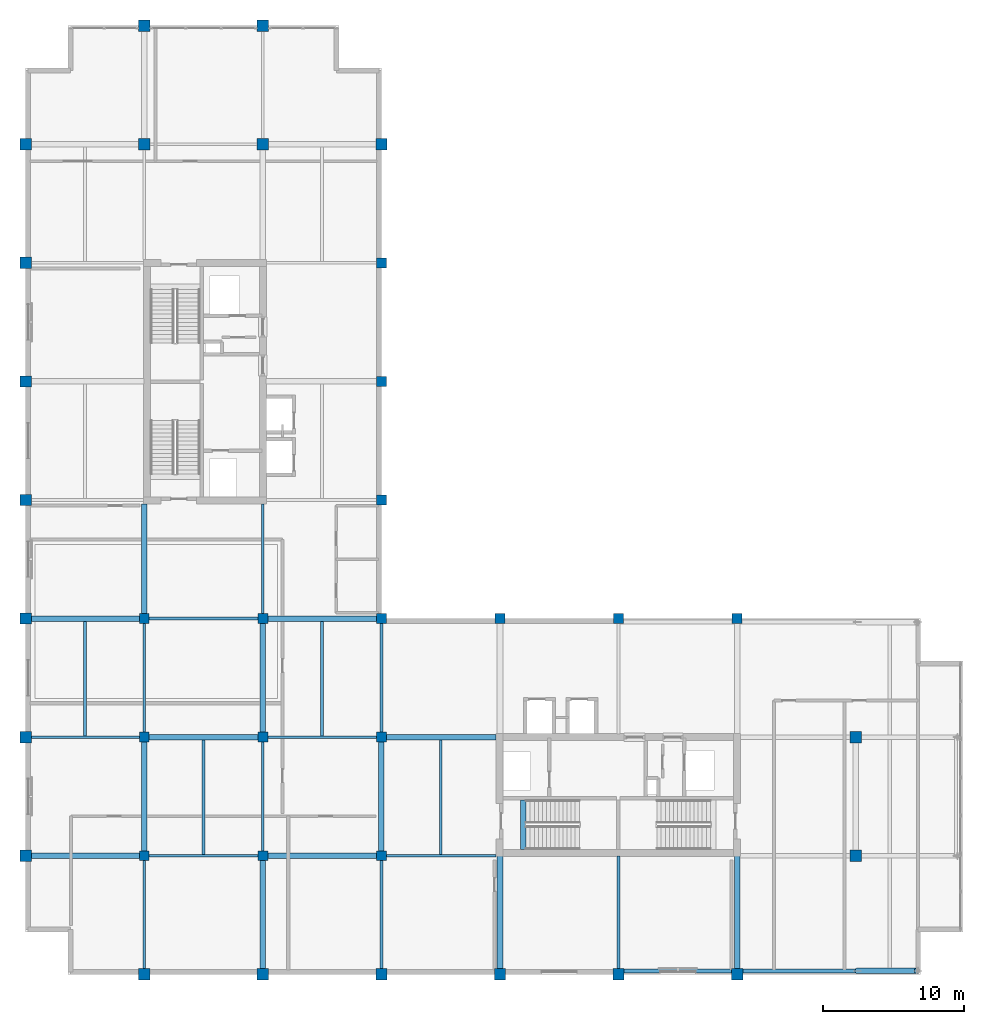
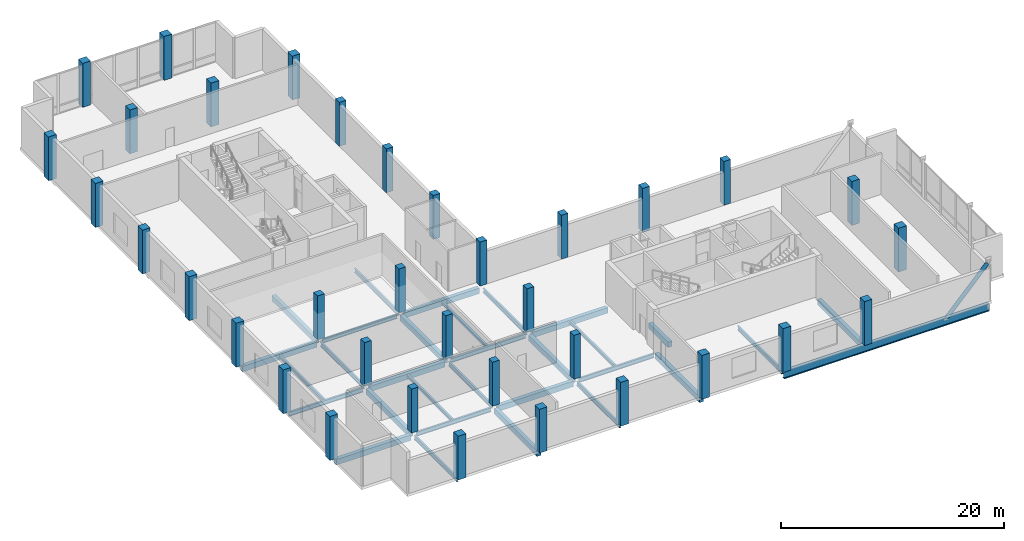
# One storey, part 1 of 18: 35 columns, 31 beams, 1 member.
"""IFC4 building model written with IfcOpenShell, lengths in metres."""

from ifc_helpers import new_model, si_unit, direction, frame, origin, origin_2d, place, context, subcontext, project, spatial, rectangle, hollow_circle, i_section, extrude, material, material_profile, profile_set, type_object, element, save


model = new_model("IFC4")

# Units and contexts
model_context = context("Model", 3, precision=1e-05, world=origin(), true_north=direction((0.0, 1.0)))
body_context = subcontext(model_context, "Body", "Model", "MODEL_VIEW")
ifc_project = project(units=[si_unit("LENGTHUNIT", "METRE"), si_unit("AREAUNIT", "SQUARE_METRE"), si_unit("VOLUMEUNIT", "CUBIC_METRE"), si_unit("PLANEANGLEUNIT", "RADIAN"), si_unit("MASSUNIT", "GRAM", prefix="KILO")], contexts=[model_context])

# Site, building, storey
site_placement = place(None, origin())
site = spatial("IfcSite", under=ifc_project, at=site_placement, CompositionType="ELEMENT")
building_placement = place(site_placement, origin())
building = spatial("IfcBuilding", under=site, at=building_placement, Name="Koriwani Terraces Tower", CompositionType="ELEMENT")
storey_placement = place(building_placement, frame((0.0, 0.0, 363.800048828125)))
storey = spatial("IfcBuildingStorey", under=building, at=storey_placement, Name="L90", CompositionType="ELEMENT", Elevation=363.800048828125)

# Columns
ifc_material_1 = material(Name="Concrete C50/60", Category="concrete")
ifc_material_profile_1 = material_profile(ifc_material_1, rectangle(XDim=0.699951171875, YDim=0.699951171875, at=origin_2d()), Name="Concrete C50/60", Category="LoadBearing")
ifc_profile_set_1 = profile_set([ifc_material_profile_1], Name="Concrete C50/60")
column_type_1 = type_object("IfcColumnType", Name="COL_RC_700X700", PredefinedType="COLUMN", material=ifc_profile_set_1)
for number, where, z_axis, x_axis, name in (
    (1, (16.800048828125, 16.800048828125, 0.0), (0.0, 0.0, 1.0), (1.0, 0.0, 0.0), "L90 Column 3/C"),
    (2, (16.800048828125, 25.199951171875, 0.0), (0.0, 0.0, 1.0), (1.0, 0.0, 0.0), "L90 Column 3/D"),
    (3, (16.800048828125, 33.60009765625, 0.0), (0.0, 0.0, 1.0), (1.0, 0.0, 0.0), "L90 Column 3/E"),
    (4, (25.199951171875, 16.800048828125, 0.0), (0.0, 0.0, 1.0), (1.0, 0.0, 0.0), "L90 Column 4/C"),
    (5, (25.199951171875, 25.199951171875, 0.0), (0.0, 0.0, 1.0), (1.0, 0.0, 0.0), "L90 Column 4/D"),
    (6, (25.199951171875, 33.60009765625, 0.0), (0.0, 0.0, 1.0), (1.0, 0.0, 0.0), "L90 Column 4/E"),
    (7, (33.60009765625, 16.800048828125, 0.0), (0.0, 0.0, 1.0), (1.0, 0.0, 0.0), "L90 Column 5/C"),
    (8, (33.60009765625, 25.199951171875, 0.0), (0.0, 0.0, 1.0), (1.0, 0.0, 0.0), "L90 Column 5/D"),
    (9, (33.60009765625, 33.60009765625, 0.0), (0.0, 0.0, 1.0), (1.0, 0.0, 0.0), "L90 Column 5/E"),
    (10, (33.60009765625, 42.0, 0.0), (0.0, 0.0, 1.0), (1.0, 0.0, 0.0), "L90 Column 5/F"),
    (11, (33.60009765625, 50.39990234375, 0.0), (0.0, 0.0, 1.0), (1.0, 0.0, 0.0), "L90 Column 5/G"),
    (12, (33.60009765625, 58.800048828125, 0.0), (0.0, 0.0, 1.0), (1.0, 0.0, 0.0), "L90 Column 5/H"),
    (13, (42.0, 33.60009765625, 0.0), (0.0, 0.0, 1.0), (1.0, 0.0, 0.0), "L90 Column 6/E"),
    (14, (50.39990234375, 33.60009765625, 0.0), (0.0, 0.0, 1.0), (1.0, 0.0, 0.0), "L90 Column 7/E"),
    (15, (58.800048828125, 33.60009765625, 0.0), (0.0, 0.0, 1.0), (1.0, 0.0, 0.0), "L90 Column 8/E"),
):
    element("IfcColumn", number, at=place(storey_placement, frame(where, z_axis=z_axis, x_axis=x_axis)), inside=storey, type_object=column_type_1, Name=name, PredefinedType="COLUMN", context=body_context, shape_type="SweptSolid", body=[
        extrude(rectangle(XDim=0.699951171875, YDim=0.699951171875, at=origin_2d()), origin(), (0.0, 0.0, 1.0), 4.800048828125),
    ])
ifc_material_profile_2 = material_profile(ifc_material_1, rectangle(XDim=0.800048828125, YDim=0.800048828125, at=origin_2d()), Name="Concrete C50/60", Category="LoadBearing")
ifc_profile_set_2 = profile_set([ifc_material_profile_2], Name="Concrete C50/60")
column_type_2 = type_object("IfcColumnType", Name="COL_RC_800X800", PredefinedType="COLUMN", material=ifc_profile_set_2)
for number, where, z_axis, x_axis, name in (
    (16, (8.39990234375, 16.800048828125, 0.0), (0.0, 0.0, 1.0), (1.0, 0.0, 0.0), "L90 Column 2/C"),
    (17, (8.39990234375, 25.199951171875, 0.0), (0.0, 0.0, 1.0), (1.0, 0.0, 0.0), "L90 Column 2/D"),
    (18, (8.39990234375, 33.60009765625, 0.0), (0.0, 0.0, 1.0), (1.0, 0.0, 0.0), "L90 Column 2/E"),
    (19, (8.39990234375, 42.0, 0.0), (0.0, 0.0, 1.0), (1.0, 0.0, 0.0), "L90 Column 2/F"),
    (20, (8.39990234375, 50.39990234375, 0.0), (0.0, 0.0, 1.0), (1.0, 0.0, 0.0), "L90 Column 2/G"),
    (21, (8.39990234375, 58.800048828125, 0.0), (0.0, 0.0, 1.0), (1.0, 0.0, 0.0), "L90 Column 2/H"),
    (22, (8.39990234375, 67.199951171875, 0.0), (0.0, 0.0, 1.0), (1.0, 0.0, 0.0), "L90 Column 2/I"),
    (23, (16.800048828125, 8.39990234375, 0.0), (0.0, 0.0, 1.0), (1.0, 0.0, 0.0), "L90 Column 3/B"),
    (24, (16.800048828125, 67.199951171875, 0.0), (0.0, 0.0, 1.0), (1.0, 0.0, 0.0), "L90 Column 3/I"),
    (25, (16.800048828125, 75.60009765625, 0.0), (0.0, 0.0, 1.0), (1.0, 0.0, 0.0), "L90 Column 3/J"),
    (26, (25.199951171875, 8.39990234375, 0.0), (0.0, 0.0, 1.0), (1.0, 0.0, 0.0), "L90 Column 4/B"),
    (27, (25.199951171875, 67.199951171875, 0.0), (0.0, 0.0, 1.0), (1.0, 0.0, 0.0), "L90 Column 4/I"),
    (28, (25.199951171875, 75.60009765625, 0.0), (0.0, 0.0, 1.0), (1.0, 0.0, 0.0), "L90 Column 4/J"),
    (29, (33.60009765625, 8.39990234375, 0.0), (0.0, 0.0, 1.0), (1.0, 0.0, 0.0), "L90 Column 5/B"),
    (30, (33.60009765625, 67.199951171875, 0.0), (0.0, 0.0, 1.0), (1.0, 0.0, 0.0), "L90 Column 5/I"),
    (31, (42.0, 8.39990234375, 0.0), (0.0, 0.0, 1.0), (1.0, 0.0, 0.0), "L90 Column 6/B"),
    (32, (50.39990234375, 8.39990234375, 0.0), (0.0, 0.0, 1.0), (1.0, 0.0, 0.0), "L90 Column 7/B"),
    (33, (58.800048828125, 8.39990234375, 0.0), (0.0, 0.0, 1.0), (1.0, 0.0, 0.0), "L90 Column 8/B"),
    (34, (67.199951171875, 16.800048828125, 0.0), (0.0, 0.0, 1.0), (1.0, 0.0, 0.0), "L90 Column 9/C"),
    (35, (67.199951171875, 25.199951171875, 0.0), (0.0, 0.0, 1.0), (1.0, 0.0, 0.0), "L90 Column 9/D"),
):
    element("IfcColumn", number, at=place(storey_placement, frame(where, z_axis=z_axis, x_axis=x_axis)), inside=storey, type_object=column_type_2, Name=name, PredefinedType="COLUMN", context=body_context, shape_type="SweptSolid", body=[
        extrude(rectangle(XDim=0.800048828125, YDim=0.800048828125, at=origin_2d()), origin(), (0.0, 0.0, 1.0), 4.800048828125),
    ])

# Beams
ifc_material_2 = material(Name="Concrete C40/50", Category="concrete")
ifc_material_profile_3 = material_profile(ifc_material_2, rectangle(XDim=0.39990234375, YDim=0.60009765625, at=origin_2d()), Name="Concrete C40/50", Category="LoadBearing")
ifc_profile_set_3 = profile_set([ifc_material_profile_3], Name="Concrete C40/50")
beam_type_1 = type_object("IfcBeamType", Name="BEAM_RC_GRID_400X600", PredefinedType="BEAM", material=ifc_profile_set_3)
beam_1_placement = place(storey_placement, frame((43.655029296875, 17.25, -0.300048828125), z_axis=(0.0, 1.0, 0.0), x_axis=(-1.0, 0.0, 0.0)))
element("IfcBeam", 36, at=beam_1_placement, inside=storey, type_object=beam_type_1, Name="L90 Stairwell Header Trimmer Beam ST-E1", PredefinedType="BEAM", context=body_context, shape_type="SweptSolid", body=[
    extrude(rectangle(XDim=0.39990234375, YDim=0.60009765625, at=origin_2d()), origin(), (0.0, 0.0, 1.0), 3.5),
])
beam_2_placement = place(storey_placement, frame((8.780029296875, 16.800048828125, -0.60009765625), z_axis=(1.0, 0.0, 0.0), x_axis=(0.0, 1.0, 0.0)))
element("IfcBeam", 37, at=beam_2_placement, inside=storey, type_object=beam_type_1, Name="L90 Grid Beam C (8.4-16.8m)", PredefinedType="BEAM", context=body_context, shape_type="SweptSolid", body=[
    extrude(rectangle(XDim=0.39990234375, YDim=0.60009765625, at=origin_2d()), origin(), (0.0, 0.0, 1.0), 7.68994140625),
])
beam_3_placement = place(storey_placement, frame((25.530029296875, 16.800048828125, -0.60009765625), z_axis=(1.0, 0.0, 0.0), x_axis=(0.0, 1.0, 0.0)))
element("IfcBeam", 38, at=beam_3_placement, inside=storey, type_object=beam_type_1, Name="L90 Grid Beam C (25.2-33.6m)", PredefinedType="BEAM", context=body_context, shape_type="SweptSolid", body=[
    extrude(rectangle(XDim=0.39990234375, YDim=0.60009765625, at=origin_2d()), origin(), (0.0, 0.0, 1.0), 7.739990234375),
])
beam_4_placement = place(storey_placement, frame((17.1298828125, 25.199951171875, -0.60009765625), z_axis=(1.0, 0.0, 0.0), x_axis=(0.0, 1.0, 0.0)))
element("IfcBeam", 39, at=beam_4_placement, inside=storey, type_object=beam_type_1, Name="L90 Grid Beam D (16.8-25.2m)", PredefinedType="BEAM", context=body_context, shape_type="SweptSolid", body=[
    extrude(rectangle(XDim=0.39990234375, YDim=0.60009765625, at=origin_2d()), origin(), (0.0, 0.0, 1.0), 7.740234375),
])
beam_5_placement = place(storey_placement, frame((33.929931640625, 25.199951171875, -0.60009765625), z_axis=(1.0, 0.0, 0.0), x_axis=(0.0, 1.0, 0.0)))
element("IfcBeam", 40, at=beam_5_placement, inside=storey, type_object=beam_type_1, Name="L90 Grid Beam D (33.6-42.0m)", PredefinedType="BEAM", context=body_context, shape_type="SweptSolid", body=[
    extrude(rectangle(XDim=0.39990234375, YDim=0.60009765625, at=origin_2d()), origin(), (0.0, 0.0, 1.0), 7.7900390625),
])
beam_6_placement = place(storey_placement, frame((8.780029296875, 33.60009765625, -0.60009765625), z_axis=(1.0, 0.0, 0.0), x_axis=(0.0, 1.0, 0.0)))
element("IfcBeam", 41, at=beam_6_placement, inside=storey, type_object=beam_type_1, Name="L90 Grid Beam E (8.4-16.8m)", PredefinedType="BEAM", context=body_context, shape_type="SweptSolid", body=[
    extrude(rectangle(XDim=0.39990234375, YDim=0.60009765625, at=origin_2d()), origin(), (0.0, 0.0, 1.0), 7.68994140625),
])
beam_7_placement = place(storey_placement, frame((25.530029296875, 33.60009765625, -0.60009765625), z_axis=(1.0, 0.0, 0.0), x_axis=(0.0, 1.0, 0.0)))
element("IfcBeam", 42, at=beam_7_placement, inside=storey, type_object=beam_type_1, Name="L90 Grid Beam E (25.2-33.6m)", PredefinedType="BEAM", context=body_context, shape_type="SweptSolid", body=[
    extrude(rectangle(XDim=0.39990234375, YDim=0.60009765625, at=origin_2d()), origin(), (0.0, 0.0, 1.0), 7.739990234375),
])
beam_8_placement = place(storey_placement, frame((16.800048828125, 17.1298828125, -0.60009765625), z_axis=(0.0, 1.0, 0.0), x_axis=(-1.0, 0.0, 0.0)))
element("IfcBeam", 43, at=beam_8_placement, inside=storey, type_object=beam_type_1, Name="L90 Grid Beam 3 (16.8-25.2m)", PredefinedType="BEAM", context=body_context, shape_type="SweptSolid", body=[
    extrude(rectangle(XDim=0.39990234375, YDim=0.60009765625, at=origin_2d()), origin(), (0.0, 0.0, 1.0), 7.740234375),
])
beam_9_placement = place(storey_placement, frame((16.800048828125, 33.929931640625, -0.60009765625), z_axis=(0.0, 1.0, 0.0), x_axis=(-1.0, 0.0, 0.0)))
element("IfcBeam", 44, at=beam_9_placement, inside=storey, type_object=beam_type_1, Name="L90 Grid Beam 3 (33.6-42.0m)", PredefinedType="BEAM", context=body_context, shape_type="SweptSolid", body=[
    extrude(rectangle(XDim=0.39990234375, YDim=0.60009765625, at=origin_2d()), origin(), (0.0, 0.0, 1.0), 7.7900390625),
])
beam_10_placement = place(storey_placement, frame((25.199951171875, 8.780029296875, -0.60009765625), z_axis=(0.0, 1.0, 0.0), x_axis=(-1.0, 0.0, 0.0)))
element("IfcBeam", 45, at=beam_10_placement, inside=storey, type_object=beam_type_1, Name="L90 Grid Beam 4 (8.4-16.8m)", PredefinedType="BEAM", context=body_context, shape_type="SweptSolid", body=[
    extrude(rectangle(XDim=0.39990234375, YDim=0.60009765625, at=origin_2d()), origin(), (0.0, 0.0, 1.0), 7.68994140625),
])
beam_11_placement = place(storey_placement, frame((25.199951171875, 25.530029296875, -0.60009765625), z_axis=(0.0, 1.0, 0.0), x_axis=(-1.0, 0.0, 0.0)))
element("IfcBeam", 46, at=beam_11_placement, inside=storey, type_object=beam_type_1, Name="L90 Grid Beam 4 (25.2-33.6m)", PredefinedType="BEAM", context=body_context, shape_type="SweptSolid", body=[
    extrude(rectangle(XDim=0.39990234375, YDim=0.60009765625, at=origin_2d()), origin(), (0.0, 0.0, 1.0), 7.739990234375),
])
beam_12_placement = place(storey_placement, frame((33.60009765625, 17.1298828125, -0.60009765625), z_axis=(0.0, 1.0, 0.0), x_axis=(-1.0, 0.0, 0.0)))
element("IfcBeam", 47, at=beam_12_placement, inside=storey, type_object=beam_type_1, Name="L90 Grid Beam 5 (16.8-25.2m)", PredefinedType="BEAM", context=body_context, shape_type="SweptSolid", body=[
    extrude(rectangle(XDim=0.39990234375, YDim=0.60009765625, at=origin_2d()), origin(), (0.0, 0.0, 1.0), 7.740234375),
])
for number, where, z_axis, x_axis, name in (
    (48, (42.0, 8.780029296875, -0.60009765625), (0.0, 1.0, 0.0), (-1.0, 0.0, 0.0), "L90 Grid Beam 6 (8.4-16.8m)"),
    (49, (58.800048828125, 8.780029296875, -0.60009765625), (0.0, 1.0, 0.0), (-1.0, 0.0, 0.0), "L90 Grid Beam 8 (8.4-16.8m)"),
):
    element("IfcBeam", number, at=place(storey_placement, frame(where, z_axis=z_axis, x_axis=x_axis)), inside=storey, type_object=beam_type_1, Name=name, PredefinedType="BEAM", context=body_context, shape_type="SweptSolid", body=[
        extrude(rectangle(XDim=0.39990234375, YDim=0.60009765625, at=origin_2d()), origin(), (0.0, 0.0, 1.0), 7.989990234375),
    ])

# Member
ifc_material_3 = material(Name="Steel ASTM A572 Grade 50", Category="steel")
ifc_material_profile_4 = material_profile(ifc_material_3, hollow_circle(Radius=0.202880859375, WallThickness=0.01611328125, at=origin_2d()), Name="Steel ASTM A572 Grade 50", Category="LoadBearing")
ifc_profile_set_4 = profile_set([ifc_material_profile_4], Name="Steel ASTM A572 Grade 50")
member_type = type_object("IfcMemberType", Name="BELT_TRUSS_DIAG_CHS406X16", PredefinedType="BRACE", material=ifc_profile_set_4)
member_placement = place(storey_placement, frame((67.300048828125, 8.64990234375, -0.400146484375), z_axis=(0.686363404248, 0.0, 0.727258741652), x_axis=(0.0, 1.0, 0.0)))
element("IfcMember", 50, at=member_placement, inside=storey, type_object=member_type, Name="L90 Sky-Lounge Facade Cantilever Strut S1", PredefinedType="BRACE", context=body_context, shape_type="SweptSolid", body=[
    extrude(hollow_circle(Radius=0.202880859375, WallThickness=0.01611328125, at=origin_2d()), origin(), (0.0, 0.0, 1.0), 6.119140625),
])

# Beams
ifc_material_profile_5 = material_profile(ifc_material_3, i_section(OverallWidth=0.205078125, OverallDepth=0.35400390625, WebThickness=0.009521484375, FlangeThickness=0.016845703125, at=origin_2d()), Name="Steel ASTM A572 Grade 50", Category="LoadBearing")
ifc_profile_set_5 = profile_set([ifc_material_profile_5], Name="Steel ASTM A572 Grade 50")
beam_type_2 = type_object("IfcBeamType", Name="STEEL_BEAM_W360X79", PredefinedType="JOIST", material=ifc_profile_set_5)
beam_13_placement = place(storey_placement, frame((12.60009765625, 25.28662109375, -0.47705078125), z_axis=(0.0, 1.0, 0.0), x_axis=(-1.0, 0.0, 0.0)))
element("IfcBeam", 51, at=beam_13_placement, inside=storey, type_object=beam_type_2, Name="L90 Secondary Steel Floor Joist X=12.6m", PredefinedType="JOIST", context=body_context, shape_type="SweptSolid", body=[
    extrude(i_section(OverallWidth=0.205078125, OverallDepth=0.35400390625, WebThickness=0.009521484375, FlangeThickness=0.016845703125, at=origin_2d()), origin(), (0.0, 0.0, 1.0), 8.123291015625),
])
beam_14_placement = place(storey_placement, frame((21.0, 16.886474609375, -0.47705078125), z_axis=(0.0, 1.0, 0.0), x_axis=(-1.0, 0.0, 0.0)))
element("IfcBeam", 52, at=beam_14_placement, inside=storey, type_object=beam_type_2, Name="L90 Secondary Steel Floor Joist X=21.0m", PredefinedType="JOIST", context=body_context, shape_type="SweptSolid", body=[
    extrude(i_section(OverallWidth=0.205078125, OverallDepth=0.35400390625, WebThickness=0.009521484375, FlangeThickness=0.016845703125, at=origin_2d()), origin(), (0.0, 0.0, 1.0), 8.12353515625),
])
beam_15_placement = place(storey_placement, frame((29.39990234375, 25.28662109375, -0.47705078125), z_axis=(0.0, 1.0, 0.0), x_axis=(-1.0, 0.0, 0.0)))
element("IfcBeam", 53, at=beam_15_placement, inside=storey, type_object=beam_type_2, Name="L90 Secondary Steel Floor Joist X=29.4m", PredefinedType="JOIST", context=body_context, shape_type="SweptSolid", body=[
    extrude(i_section(OverallWidth=0.205078125, OverallDepth=0.35400390625, WebThickness=0.009521484375, FlangeThickness=0.016845703125, at=origin_2d()), origin(), (0.0, 0.0, 1.0), 8.123291015625),
])
beam_16_placement = place(storey_placement, frame((37.800048828125, 16.886474609375, -0.47705078125), z_axis=(0.0, 1.0, 0.0), x_axis=(-1.0, 0.0, 0.0)))
element("IfcBeam", 54, at=beam_16_placement, inside=storey, type_object=beam_type_2, Name="L90 Secondary Steel Floor Joist X=37.8m", PredefinedType="JOIST", context=body_context, shape_type="SweptSolid", body=[
    extrude(i_section(OverallWidth=0.205078125, OverallDepth=0.35400390625, WebThickness=0.009521484375, FlangeThickness=0.016845703125, at=origin_2d()), origin(), (0.0, 0.0, 1.0), 8.12353515625),
])
ifc_material_profile_6 = material_profile(ifc_material_3, i_section(OverallWidth=0.193115234375, OverallDepth=0.462890625, WebThickness=0.0107421875, FlangeThickness=0.017333984375, at=origin_2d()), Name="Steel ASTM A572 Grade 50", Category="LoadBearing")
ifc_profile_set_6 = profile_set([ifc_material_profile_6], Name="Steel ASTM A572 Grade 50")
beam_type_3 = type_object("IfcBeamType", Name="STEEL_BEAM_W460X113", PredefinedType="BEAM", material=ifc_profile_set_6)
beam_17_placement = place(storey_placement, frame((17.1298828125, 16.800048828125, -0.531494140625), z_axis=(1.0, 0.0, 0.0), x_axis=(0.0, 1.0, 0.0)))
element("IfcBeam", 55, at=beam_17_placement, inside=storey, type_object=beam_type_3, Name="L90 Grid Beam C (16.8-25.2m)", PredefinedType="BEAM", context=body_context, shape_type="SweptSolid", body=[
    extrude(i_section(OverallWidth=0.193115234375, OverallDepth=0.462890625, WebThickness=0.0107421875, FlangeThickness=0.017333984375, at=origin_2d()), origin(), (0.0, 0.0, 1.0), 7.740234375),
])
beam_18_placement = place(storey_placement, frame((33.929931640625, 16.800048828125, -0.531494140625), z_axis=(1.0, 0.0, 0.0), x_axis=(0.0, 1.0, 0.0)))
element("IfcBeam", 56, at=beam_18_placement, inside=storey, type_object=beam_type_3, Name="L90 Grid Beam C (33.6-42.0m)", PredefinedType="BEAM", context=body_context, shape_type="SweptSolid", body=[
    extrude(i_section(OverallWidth=0.193115234375, OverallDepth=0.462890625, WebThickness=0.0107421875, FlangeThickness=0.017333984375, at=origin_2d()), origin(), (0.0, 0.0, 1.0), 7.7900390625),
])
beam_19_placement = place(storey_placement, frame((8.780029296875, 25.199951171875, -0.531494140625), z_axis=(1.0, 0.0, 0.0), x_axis=(0.0, 1.0, 0.0)))
element("IfcBeam", 57, at=beam_19_placement, inside=storey, type_object=beam_type_3, Name="L90 Grid Beam D (8.4-16.8m)", PredefinedType="BEAM", context=body_context, shape_type="SweptSolid", body=[
    extrude(i_section(OverallWidth=0.193115234375, OverallDepth=0.462890625, WebThickness=0.0107421875, FlangeThickness=0.017333984375, at=origin_2d()), origin(), (0.0, 0.0, 1.0), 7.68994140625),
])
beam_20_placement = place(storey_placement, frame((25.530029296875, 25.199951171875, -0.531494140625), z_axis=(1.0, 0.0, 0.0), x_axis=(0.0, 1.0, 0.0)))
element("IfcBeam", 58, at=beam_20_placement, inside=storey, type_object=beam_type_3, Name="L90 Grid Beam D (25.2-33.6m)", PredefinedType="BEAM", context=body_context, shape_type="SweptSolid", body=[
    extrude(i_section(OverallWidth=0.193115234375, OverallDepth=0.462890625, WebThickness=0.0107421875, FlangeThickness=0.017333984375, at=origin_2d()), origin(), (0.0, 0.0, 1.0), 7.739990234375),
])
beam_21_placement = place(storey_placement, frame((17.1298828125, 33.60009765625, -0.531494140625), z_axis=(1.0, 0.0, 0.0), x_axis=(0.0, 1.0, 0.0)))
element("IfcBeam", 59, at=beam_21_placement, inside=storey, type_object=beam_type_3, Name="L90 Grid Beam E (16.8-25.2m)", PredefinedType="BEAM", context=body_context, shape_type="SweptSolid", body=[
    extrude(i_section(OverallWidth=0.193115234375, OverallDepth=0.462890625, WebThickness=0.0107421875, FlangeThickness=0.017333984375, at=origin_2d()), origin(), (0.0, 0.0, 1.0), 7.740234375),
])
beam_22_placement = place(storey_placement, frame((16.800048828125, 8.780029296875, -0.531494140625), z_axis=(0.0, 1.0, 0.0), x_axis=(-1.0, 0.0, 0.0)))
element("IfcBeam", 60, at=beam_22_placement, inside=storey, type_object=beam_type_3, Name="L90 Grid Beam 3 (8.4-16.8m)", PredefinedType="BEAM", context=body_context, shape_type="SweptSolid", body=[
    extrude(i_section(OverallWidth=0.193115234375, OverallDepth=0.462890625, WebThickness=0.0107421875, FlangeThickness=0.017333984375, at=origin_2d()), origin(), (0.0, 0.0, 1.0), 7.68994140625),
])
beam_23_placement = place(storey_placement, frame((16.800048828125, 25.530029296875, -0.531494140625), z_axis=(0.0, 1.0, 0.0), x_axis=(-1.0, 0.0, 0.0)))
element("IfcBeam", 61, at=beam_23_placement, inside=storey, type_object=beam_type_3, Name="L90 Grid Beam 3 (25.2-33.6m)", PredefinedType="BEAM", context=body_context, shape_type="SweptSolid", body=[
    extrude(i_section(OverallWidth=0.193115234375, OverallDepth=0.462890625, WebThickness=0.0107421875, FlangeThickness=0.017333984375, at=origin_2d()), origin(), (0.0, 0.0, 1.0), 7.739990234375),
])
beam_24_placement = place(storey_placement, frame((25.199951171875, 17.1298828125, -0.531494140625), z_axis=(0.0, 1.0, 0.0), x_axis=(-1.0, 0.0, 0.0)))
element("IfcBeam", 62, at=beam_24_placement, inside=storey, type_object=beam_type_3, Name="L90 Grid Beam 4 (16.8-25.2m)", PredefinedType="BEAM", context=body_context, shape_type="SweptSolid", body=[
    extrude(i_section(OverallWidth=0.193115234375, OverallDepth=0.462890625, WebThickness=0.0107421875, FlangeThickness=0.017333984375, at=origin_2d()), origin(), (0.0, 0.0, 1.0), 7.740234375),
])
beam_25_placement = place(storey_placement, frame((25.199951171875, 33.929931640625, -0.531494140625), z_axis=(0.0, 1.0, 0.0), x_axis=(-1.0, 0.0, 0.0)))
element("IfcBeam", 63, at=beam_25_placement, inside=storey, type_object=beam_type_3, Name="L90 Grid Beam 4 (33.6-42.0m)", PredefinedType="BEAM", context=body_context, shape_type="SweptSolid", body=[
    extrude(i_section(OverallWidth=0.193115234375, OverallDepth=0.462890625, WebThickness=0.0107421875, FlangeThickness=0.017333984375, at=origin_2d()), origin(), (0.0, 0.0, 1.0), 7.7900390625),
])
beam_26_placement = place(storey_placement, frame((33.60009765625, 8.780029296875, -0.531494140625), z_axis=(0.0, 1.0, 0.0), x_axis=(-1.0, 0.0, 0.0)))
element("IfcBeam", 64, at=beam_26_placement, inside=storey, type_object=beam_type_3, Name="L90 Grid Beam 5 (8.4-16.8m)", PredefinedType="BEAM", context=body_context, shape_type="SweptSolid", body=[
    extrude(i_section(OverallWidth=0.193115234375, OverallDepth=0.462890625, WebThickness=0.0107421875, FlangeThickness=0.017333984375, at=origin_2d()), origin(), (0.0, 0.0, 1.0), 7.68994140625),
])
beam_27_placement = place(storey_placement, frame((33.60009765625, 25.530029296875, -0.531494140625), z_axis=(0.0, 1.0, 0.0), x_axis=(-1.0, 0.0, 0.0)))
element("IfcBeam", 65, at=beam_27_placement, inside=storey, type_object=beam_type_3, Name="L90 Grid Beam 5 (25.2-33.6m)", PredefinedType="BEAM", context=body_context, shape_type="SweptSolid", body=[
    extrude(i_section(OverallWidth=0.193115234375, OverallDepth=0.462890625, WebThickness=0.0107421875, FlangeThickness=0.017333984375, at=origin_2d()), origin(), (0.0, 0.0, 1.0), 7.739990234375),
])
beam_28_placement = place(storey_placement, frame((50.39990234375, 8.780029296875, -0.531494140625), z_axis=(0.0, 1.0, 0.0), x_axis=(-1.0, 0.0, 0.0)))
element("IfcBeam", 66, at=beam_28_placement, inside=storey, type_object=beam_type_3, Name="L90 Grid Beam 7 (8.4-16.8m)", PredefinedType="BEAM", context=body_context, shape_type="SweptSolid", body=[
    extrude(i_section(OverallWidth=0.193115234375, OverallDepth=0.462890625, WebThickness=0.0107421875, FlangeThickness=0.017333984375, at=origin_2d()), origin(), (0.0, 0.0, 1.0), 7.989990234375),
])
ifc_material_profile_7 = material_profile(ifc_material_3, i_section(OverallWidth=0.2919921875, OverallDepth=0.85498046875, WebThickness=0.018310546875, FlangeThickness=0.029296875, at=origin_2d()), Name="Steel ASTM A572 Grade 50", Category="LoadBearing")
ifc_profile_set_7 = profile_set([ifc_material_profile_7], Name="Steel ASTM A572 Grade 50")
beam_type_4 = type_object("IfcBeamType", Name="STEEL_BEAM_W840X299", PredefinedType="USERDEFINED", material=ifc_profile_set_7)
beam_29_placement = place(storey_placement, frame((50.39990234375, 8.64990234375, -0.7275390625), z_axis=(1.0, 0.0, 0.0), x_axis=(0.0, 1.0, 0.0)))
element("IfcBeam", 67, at=beam_29_placement, inside=storey, type_object=beam_type_4, Name="L90 Sky-Lounge Edge Cantilever Girder (S)", ObjectType="GIRDER", PredefinedType="USERDEFINED", context=body_context, shape_type="SweptSolid", body=[
    extrude(i_section(OverallWidth=0.2919921875, OverallDepth=0.85498046875, WebThickness=0.018310546875, FlangeThickness=0.029296875, at=origin_2d()), origin(), (0.0, 0.0, 1.0), 21.2001953125),
])

save(model, "model.ifc")
